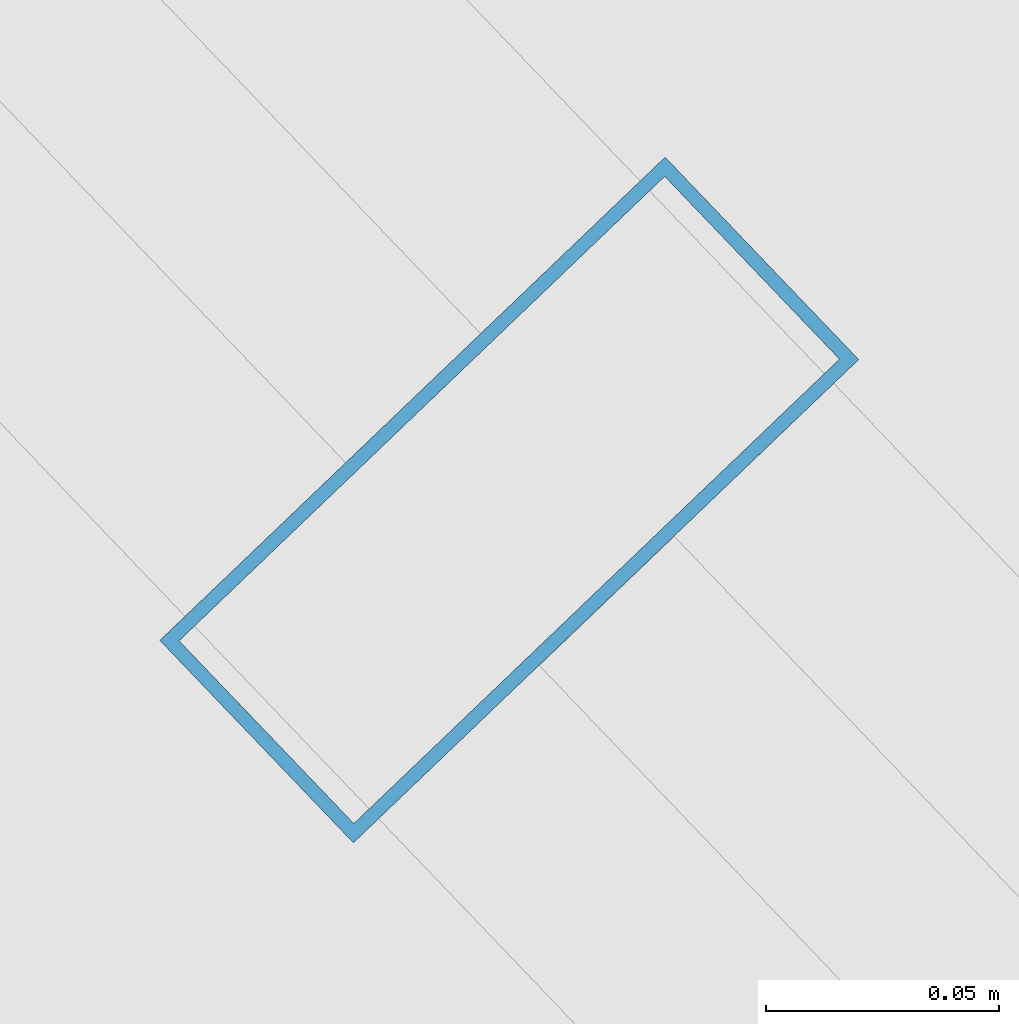
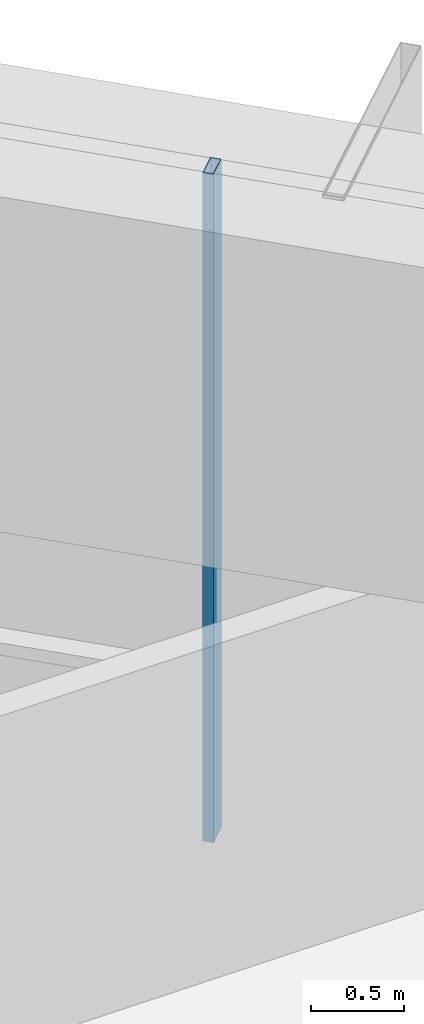
# One storey, part 20 of 39: 1 member, 1 element without a shape of its own.
"""IFC4 building model written with IfcOpenShell, lengths in metres."""

from ifc_helpers import new_model, si_unit, direction, frame, origin, origin_2d, place, context, subcontext, project, spatial, hollow_rectangle, extrude, source, transform, mapped, material, layer, layer_set, material_profile, profile_set, type_object, element, aggregate, save


model = new_model("IFC4")

# Units and contexts
model_context = context("Model", 3, precision=1e-05, world=origin(), true_north=direction((0.0, 1.0)))
body_context = subcontext(model_context, "Body", "Model", "MODEL_VIEW")
ifc_project = project(units=[si_unit("LENGTHUNIT", "METRE"), si_unit("AREAUNIT", "SQUARE_METRE"), si_unit("VOLUMEUNIT", "CUBIC_METRE"), si_unit("PLANEANGLEUNIT", "RADIAN"), si_unit("MASSUNIT", "GRAM", prefix="KILO")], contexts=[model_context])

# Site, building, storey
site_placement = place(None, origin())
site = spatial("IfcSite", under=ifc_project, at=site_placement, CompositionType="ELEMENT")
building_placement = place(site_placement, origin())
building = spatial("IfcBuilding", under=site, at=building_placement, Name="Veraguas Prism Commons", CompositionType="ELEMENT")
storey_placement = place(building_placement, frame((0.0, 0.0, 264.25)))
storey = spatial("IfcBuildingStorey", under=building, at=storey_placement, Name="L75", CompositionType="ELEMENT", Elevation=264.25)

# Curtain wall, member
ifc_material = material(Name="Anodised aluminium EN AW-6063 T6", Category="aluminium")
ifc_layer = layer(ifc_material, 0.14990234375, Name="Unitised Flush Curtain Wall Zone 4", Category="aluminium")
ifc_layer_set = layer_set([ifc_layer], Name="Anodised aluminium EN AW-6063 T6")
curtain_wall_type = type_object("IfcCurtainWallType", Name="Unitised Flush Curtain Wall Zone 4", PredefinedType="NOTDEFINED", material=ifc_layer_set)
curtain_wall_placement = place(storey_placement, origin())
curtain_wall = element("IfcCurtainWall", 1, at=curtain_wall_placement, inside=storey, type_object=curtain_wall_type, Name="Tower Facade Curtain Wall L75-F1", PredefinedType="NOTDEFINED")
ifc_material_profile = material_profile(ifc_material, hollow_rectangle(XDim=0.06005859375, YDim=0.14990234375, WallThickness=0.0029296875, at=origin_2d()), Name="AL60X150X3")
ifc_profile_set = profile_set([ifc_material_profile], Name="Anodised aluminium EN AW-6063 T6")
member_type = type_object("IfcMemberType", Name="Curtain Wall Mullion Upper AL 60x150x3", PredefinedType="MULLION", material=ifc_profile_set)
shared_shape = source(origin(), body_context, "Body", "SweptSolid", [
    extrude(hollow_rectangle(XDim=0.06005859375, YDim=0.14990234375, WallThickness=0.0029296875, at=origin_2d()), origin(), (0.0, 0.0, 1.0), 4.389892578125),
])
member_placement = place(storey_placement, frame((33.340576171875, 38.040283203125, 0.0), z_axis=(0.0, 0.0, 1.0), x_axis=(-0.691134732122, 0.722725938412, 0.0)))
member = element("IfcMember", 2, at=member_placement, type_object=member_type, Name="CW-Z4 Mullion 4", PredefinedType="MULLION", context=body_context, shape_type="MappedRepresentation", body=[
    mapped(shared_shape, transform((0.0, 0.0, 0.0), scale=1.0)),
])
aggregate(curtain_wall, [member])

save(model, "model.ifc")
